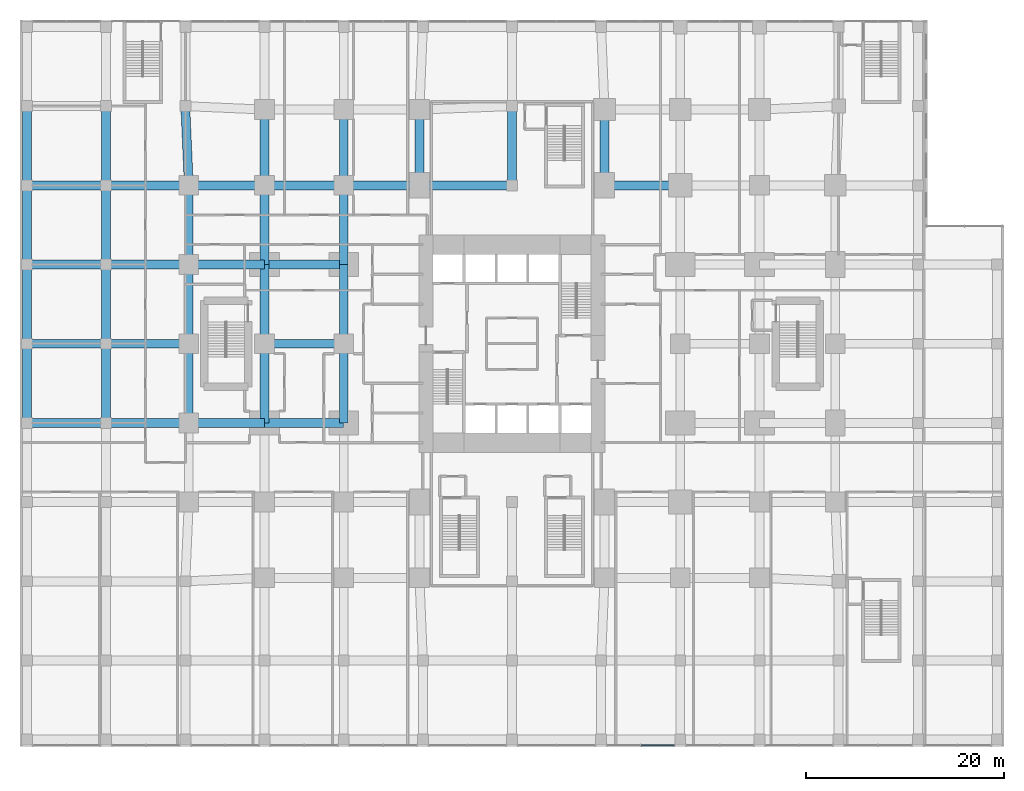
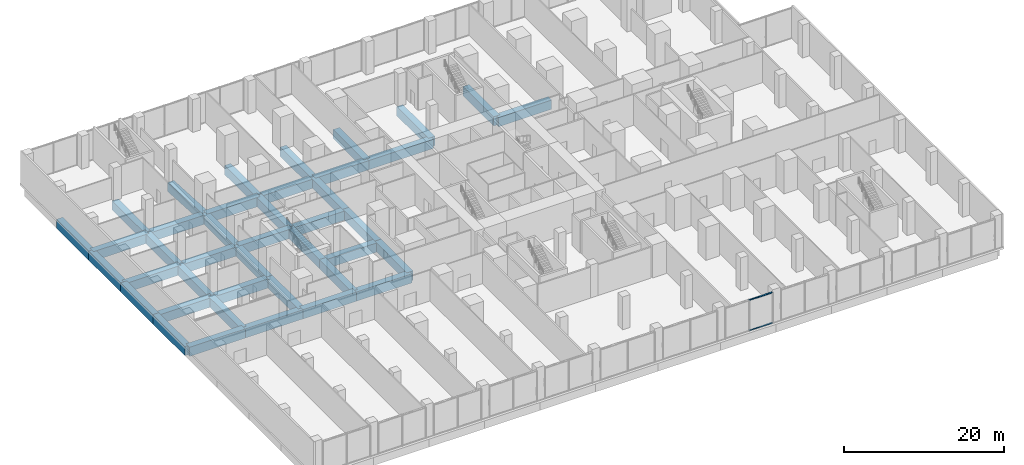
# One storey, part 4 of 22: 41 beams, 2 members, 1 element without a shape of its own.
"""IFC4 building model written with IfcOpenShell, lengths in metres."""

from ifc_helpers import new_model, si_unit, direction, frame, origin, origin_2d, place, context, subcontext, project, spatial, rectangle, extrude, material, layer, layer_set, material_profile, profile_set, type_object, element, aggregate, save


model = new_model("IFC4")

# Units and contexts
model_context = context("Model", 3, precision=1e-05, world=origin(), true_north=direction((0.0, 1.0)))
body_context = subcontext(model_context, "Body", "Model", "MODEL_VIEW")
ifc_project = project(units=[si_unit("LENGTHUNIT", "METRE"), si_unit("AREAUNIT", "SQUARE_METRE"), si_unit("VOLUMEUNIT", "CUBIC_METRE"), si_unit("PLANEANGLEUNIT", "RADIAN"), si_unit("MASSUNIT", "GRAM", prefix="KILO")], contexts=[model_context])

# Site, building, storey
site_placement = place(None, origin())
site = spatial("IfcSite", under=ifc_project, at=site_placement, CompositionType="ELEMENT")
building_placement = place(site_placement, origin())
building = spatial("IfcBuilding", under=site, at=building_placement, Name="Cleftline Residences", CompositionType="ELEMENT")
storey_placement = place(building_placement, frame((0.0, 0.0, 6.0)))
storey = spatial("IfcBuildingStorey", under=building, at=storey_placement, Name="L01", CompositionType="ELEMENT", Elevation=6.0)

# Beams
ifc_material_1 = material(Name="Concrete B45", Category="concrete")
ifc_material_profile_1 = material_profile(ifc_material_1, rectangle(XDim=0.89990234375, YDim=1.39990234375, at=origin_2d()))
ifc_profile_set_1 = profile_set([ifc_material_profile_1], Name="Concrete B45")
beam_type = type_object("IfcBeamType", Name="BEAM RC900X1400", PredefinedType="BEAM", material=ifc_profile_set_1)
beam_1_placement = place(storey_placement, frame((-16.0, 16.0, -1.0), z_axis=(1.0, 0.0, 0.0), x_axis=(0.0, 1.0, 0.0)))
element("IfcBeam", 1, at=beam_1_placement, inside=storey, type_object=beam_type, Name="Podium beam", PredefinedType="BEAM", context=body_context, shape_type="SweptSolid", body=[
    extrude(rectangle(XDim=0.89990234375, YDim=1.39990234375, at=origin_2d()), origin(), (0.0, 0.0, 1.0), 8.0),
])
beam_2_placement = place(storey_placement, frame((-8.0, 16.0, -1.0), z_axis=(1.0, 0.0, 0.0), x_axis=(0.0, 1.0, 0.0)))
element("IfcBeam", 2, at=beam_2_placement, inside=storey, type_object=beam_type, Name="Podium beam", PredefinedType="BEAM", context=body_context, shape_type="SweptSolid", body=[
    extrude(rectangle(XDim=0.89990234375, YDim=1.39990234375, at=origin_2d()), origin(), (0.0, 0.0, 1.0), 8.35009765625),
])
beam_3_placement = place(storey_placement, frame((0.35009765625, 16.0, -1.0), z_axis=(1.0, 0.0, 0.0), x_axis=(0.0, 1.0, 0.0)))
element("IfcBeam", 3, at=beam_3_placement, inside=storey, type_object=beam_type, Name="Podium beam", PredefinedType="BEAM", context=body_context, shape_type="SweptSolid", body=[
    extrude(rectangle(XDim=0.89990234375, YDim=1.39990234375, at=origin_2d()), origin(), (0.0, 0.0, 1.0), 7.64990234375),
])
for number, where, z_axis, x_axis, name in (
    (4, (8.0, 16.0, -1.0), (1.0, 0.0, 0.0), (0.0, 1.0, 0.0), "Podium beam"),
    (5, (-16.0, 24.0, -1.0), (1.0, 0.0, 0.0), (0.0, 1.0, 0.0), "Podium beam"),
):
    element("IfcBeam", number, at=place(storey_placement, frame(where, z_axis=z_axis, x_axis=x_axis)), inside=storey, type_object=beam_type, Name=name, PredefinedType="BEAM", context=body_context, shape_type="SweptSolid", body=[
        extrude(rectangle(XDim=0.89990234375, YDim=1.39990234375, at=origin_2d()), origin(), (0.0, 0.0, 1.0), 8.0),
    ])
beam_4_placement = place(storey_placement, frame((-8.0, 24.0, -1.0), z_axis=(1.0, 0.0, 0.0), x_axis=(0.0, 1.0, 0.0)))
element("IfcBeam", 6, at=beam_4_placement, inside=storey, type_object=beam_type, Name="Podium beam", PredefinedType="BEAM", context=body_context, shape_type="SweptSolid", body=[
    extrude(rectangle(XDim=0.89990234375, YDim=1.39990234375, at=origin_2d()), origin(), (0.0, 0.0, 1.0), 8.35009765625),
])
for number, where, z_axis, x_axis, name in (
    (7, (8.0, 24.0, -1.0), (1.0, 0.0, 0.0), (0.0, 1.0, 0.0), "Podium beam"),
    (8, (-16.0, 32.0, -1.0), (1.0, 0.0, 0.0), (0.0, 1.0, 0.0), "Podium beam"),
):
    element("IfcBeam", number, at=place(storey_placement, frame(where, z_axis=z_axis, x_axis=x_axis)), inside=storey, type_object=beam_type, Name=name, PredefinedType="BEAM", context=body_context, shape_type="SweptSolid", body=[
        extrude(rectangle(XDim=0.89990234375, YDim=1.39990234375, at=origin_2d()), origin(), (0.0, 0.0, 1.0), 8.0),
    ])
beam_5_placement = place(storey_placement, frame((-8.0, 32.0, -1.0), z_axis=(1.0, 0.0, 0.0), x_axis=(0.0, 1.0, 0.0)))
element("IfcBeam", 9, at=beam_5_placement, inside=storey, type_object=beam_type, Name="Podium beam", PredefinedType="BEAM", context=body_context, shape_type="SweptSolid", body=[
    extrude(rectangle(XDim=0.89990234375, YDim=1.39990234375, at=origin_2d()), origin(), (0.0, 0.0, 1.0), 8.35009765625),
])
beam_6_placement = place(storey_placement, frame((0.35009765625, 32.0, -1.0), z_axis=(1.0, 0.0, 0.0), x_axis=(0.0, 1.0, 0.0)))
element("IfcBeam", 10, at=beam_6_placement, inside=storey, type_object=beam_type, Name="Podium beam", PredefinedType="BEAM", context=body_context, shape_type="SweptSolid", body=[
    extrude(rectangle(XDim=0.89990234375, YDim=1.39990234375, at=origin_2d()), origin(), (0.0, 0.0, 1.0), 7.64990234375),
])
for number, where, z_axis, x_axis, name in (
    (11, (8.0, 32.0, -1.0), (1.0, 0.0, 0.0), (0.0, 1.0, 0.0), "Podium beam"),
    (12, (-16.0, 40.0, -1.0), (1.0, 0.0, 0.0), (0.0, 1.0, 0.0), "Podium beam"),
):
    element("IfcBeam", number, at=place(storey_placement, frame(where, z_axis=z_axis, x_axis=x_axis)), inside=storey, type_object=beam_type, Name=name, PredefinedType="BEAM", context=body_context, shape_type="SweptSolid", body=[
        extrude(rectangle(XDim=0.89990234375, YDim=1.39990234375, at=origin_2d()), origin(), (0.0, 0.0, 1.0), 8.0),
    ])
beam_7_placement = place(storey_placement, frame((-8.0, 40.0, -1.0), z_axis=(1.0, 0.0, 0.0), x_axis=(0.0, 1.0, 0.0)))
element("IfcBeam", 13, at=beam_7_placement, inside=storey, type_object=beam_type, Name="Podium beam", PredefinedType="BEAM", context=body_context, shape_type="SweptSolid", body=[
    extrude(rectangle(XDim=0.89990234375, YDim=1.39990234375, at=origin_2d()), origin(), (0.0, 0.0, 1.0), 8.35009765625),
])
beam_8_placement = place(storey_placement, frame((0.35009765625, 40.0, -1.0), z_axis=(1.0, 0.0, 0.0), x_axis=(0.0, 1.0, 0.0)))
element("IfcBeam", 14, at=beam_8_placement, inside=storey, type_object=beam_type, Name="Podium beam", PredefinedType="BEAM", context=body_context, shape_type="SweptSolid", body=[
    extrude(rectangle(XDim=0.89990234375, YDim=1.39990234375, at=origin_2d()), origin(), (0.0, 0.0, 1.0), 7.64990234375),
])
beam_9_placement = place(storey_placement, frame((8.0, 40.0, -1.0), z_axis=(1.0, 0.0, 0.0), x_axis=(0.0, 1.0, 0.0)))
element("IfcBeam", 15, at=beam_9_placement, inside=storey, type_object=beam_type, Name="Podium beam", PredefinedType="BEAM", context=body_context, shape_type="SweptSolid", body=[
    extrude(rectangle(XDim=0.89990234375, YDim=1.39990234375, at=origin_2d()), origin(), (0.0, 0.0, 1.0), 8.0),
])
beam_10_placement = place(storey_placement, frame((16.0, 40.0, -1.0), z_axis=(1.0, 0.0, 0.0), x_axis=(0.0, 1.0, 0.0)))
element("IfcBeam", 16, at=beam_10_placement, inside=storey, type_object=beam_type, Name="Podium beam", PredefinedType="BEAM", context=body_context, shape_type="SweptSolid", body=[
    extrude(rectangle(XDim=0.89990234375, YDim=1.39990234375, at=origin_2d()), origin(), (0.0, 0.0, 1.0), 7.64990234375),
])
beam_11_placement = place(storey_placement, frame((23.64990234375, 40.0, -1.0), z_axis=(1.0, 0.0, 0.0), x_axis=(0.0, 1.0, 0.0)))
element("IfcBeam", 17, at=beam_11_placement, inside=storey, type_object=beam_type, Name="Podium beam", PredefinedType="BEAM", context=body_context, shape_type="SweptSolid", body=[
    extrude(rectangle(XDim=0.89990234375, YDim=1.39990234375, at=origin_2d()), origin(), (0.0, 0.0, 1.0), 9.35009765625),
])
beam_12_placement = place(storey_placement, frame((42.35009765625, 40.0, -1.0), z_axis=(1.0, 0.0, 0.0), x_axis=(0.0, 1.0, 0.0)))
element("IfcBeam", 18, at=beam_12_placement, inside=storey, type_object=beam_type, Name="Podium beam", PredefinedType="BEAM", context=body_context, shape_type="SweptSolid", body=[
    extrude(rectangle(XDim=0.89990234375, YDim=1.39990234375, at=origin_2d()), origin(), (0.0, 0.0, 1.0), 7.64990234375),
])
for number, where, z_axis, x_axis, name in (
    (19, (-16.0, 16.0, -1.0), (0.0, 1.0, 0.0), (-1.0, 0.0, 0.0), "Podium beam"),
    (20, (-16.0, 24.0, -1.0), (0.0, 1.0, 0.0), (-1.0, 0.0, 0.0), "Podium beam"),
    (21, (-16.0, 32.0, -1.0), (0.0, 1.0, 0.0), (-1.0, 0.0, 0.0), "Podium beam"),
    (22, (-16.0, 40.0, -1.0), (0.0, 1.0, 0.0), (-1.0, 0.0, 0.0), "Podium beam"),
    (23, (-8.0, 16.0, -1.0), (0.0, 1.0, 0.0), (-1.0, 0.0, 0.0), "Podium beam"),
    (24, (-8.0, 24.0, -1.0), (0.0, 1.0, 0.0), (-1.0, 0.0, 0.0), "Podium beam"),
    (25, (-8.0, 32.0, -1.0), (0.0, 1.0, 0.0), (-1.0, 0.0, 0.0), "Podium beam"),
    (26, (-8.0, 40.0, -1.0), (0.0, 1.0, 0.0), (-1.0, 0.0, 0.0), "Podium beam"),
    (27, (0.35009765625, 16.0, -1.0), (0.0, 1.0, 0.0), (-1.0, 0.0, 0.0), "Podium beam"),
    (28, (0.35009765625, 24.0, -1.0), (0.0, 1.0, 0.0), (-1.0, 0.0, 0.0), "Podium beam"),
    (29, (0.35009765625, 32.0, -1.0), (0.0, 1.0, 0.0), (-1.0, 0.0, 0.0), "Podium beam"),
):
    element("IfcBeam", number, at=place(storey_placement, frame(where, z_axis=z_axis, x_axis=x_axis)), inside=storey, type_object=beam_type, Name=name, PredefinedType="BEAM", context=body_context, shape_type="SweptSolid", body=[
        extrude(rectangle(XDim=0.89990234375, YDim=1.39990234375, at=origin_2d()), origin(), (0.0, 0.0, 1.0), 8.0),
    ])
beam_13_placement = place(storey_placement, frame((0.35009765625, 40.0, -1.0), z_axis=(-0.043720361951, 0.999043807824, 0.0), x_axis=(-0.999043807824, -0.043720361951, 0.0)))
element("IfcBeam", 30, at=beam_13_placement, inside=storey, type_object=beam_type, Name="Podium beam", PredefinedType="BEAM", context=body_context, shape_type="SweptSolid", body=[
    extrude(rectangle(XDim=0.89990234375, YDim=1.39990234375, at=origin_2d()), origin(), (0.0, 0.0, 1.0), 8.007568359375),
])
for number, where, z_axis, x_axis, name in (
    (31, (8.0, 16.0, -1.0), (0.0, 1.0, 0.0), (-1.0, 0.0, 0.0), "Podium beam"),
    (32, (8.0, 24.0, -1.0), (0.0, 1.0, 0.0), (-1.0, 0.0, 0.0), "Podium beam"),
    (33, (8.0, 32.0, -1.0), (0.0, 1.0, 0.0), (-1.0, 0.0, 0.0), "Podium beam"),
):
    element("IfcBeam", number, at=place(storey_placement, frame(where, z_axis=z_axis, x_axis=x_axis)), inside=storey, type_object=beam_type, Name=name, PredefinedType="BEAM", context=body_context, shape_type="SweptSolid", body=[
        extrude(rectangle(XDim=0.89990234375, YDim=1.39990234375, at=origin_2d()), origin(), (0.0, 0.0, 1.0), 8.0),
    ])
beam_14_placement = place(storey_placement, frame((8.0, 40.0, -1.0), z_axis=(0.0, 1.0, 0.0), x_axis=(-1.0, 0.0, 0.0)))
element("IfcBeam", 34, at=beam_14_placement, inside=storey, type_object=beam_type, Name="Podium beam", PredefinedType="BEAM", context=body_context, shape_type="SweptSolid", body=[
    extrude(rectangle(XDim=0.89990234375, YDim=1.39990234375, at=origin_2d()), origin(), (0.0, 0.0, 1.0), 7.64990234375),
])
for number, where, z_axis, x_axis, name in (
    (35, (16.0, 16.0, -1.0), (0.0, 1.0, 0.0), (-1.0, 0.0, 0.0), "Podium beam"),
    (36, (16.0, 24.0, -1.0), (0.0, 1.0, 0.0), (-1.0, 0.0, 0.0), "Podium beam"),
    (37, (16.0, 32.0, -1.0), (0.0, 1.0, 0.0), (-1.0, 0.0, 0.0), "Podium beam"),
):
    element("IfcBeam", number, at=place(storey_placement, frame(where, z_axis=z_axis, x_axis=x_axis)), inside=storey, type_object=beam_type, Name=name, PredefinedType="BEAM", context=body_context, shape_type="SweptSolid", body=[
        extrude(rectangle(XDim=0.89990234375, YDim=1.39990234375, at=origin_2d()), origin(), (0.0, 0.0, 1.0), 8.0),
    ])
for number, where, z_axis, x_axis, name in (
    (38, (16.0, 40.0, -1.0), (0.0, 1.0, 0.0), (-1.0, 0.0, 0.0), "Podium beam"),
    (39, (23.64990234375, 40.0, -1.0), (0.0, 1.0, 0.0), (-1.0, 0.0, 0.0), "Podium beam"),
):
    element("IfcBeam", number, at=place(storey_placement, frame(where, z_axis=z_axis, x_axis=x_axis)), inside=storey, type_object=beam_type, Name=name, PredefinedType="BEAM", context=body_context, shape_type="SweptSolid", body=[
        extrude(rectangle(XDim=0.89990234375, YDim=1.39990234375, at=origin_2d()), origin(), (0.0, 0.0, 1.0), 7.64990234375),
    ])
beam_15_placement = place(storey_placement, frame((33.0, 40.0, -1.0), z_axis=(0.0, 1.0, 0.0), x_axis=(-1.0, 0.0, 0.0)))
element("IfcBeam", 40, at=beam_15_placement, inside=storey, type_object=beam_type, Name="Podium beam", PredefinedType="BEAM", context=body_context, shape_type="SweptSolid", body=[
    extrude(rectangle(XDim=0.89990234375, YDim=1.39990234375, at=origin_2d()), origin(), (0.0, 0.0, 1.0), 8.0),
])
beam_16_placement = place(storey_placement, frame((42.35009765625, 40.0, -1.0), z_axis=(0.0, 1.0, 0.0), x_axis=(-1.0, 0.0, 0.0)))
element("IfcBeam", 41, at=beam_16_placement, inside=storey, type_object=beam_type, Name="Podium beam", PredefinedType="BEAM", context=body_context, shape_type="SweptSolid", body=[
    extrude(rectangle(XDim=0.89990234375, YDim=1.39990234375, at=origin_2d()), origin(), (0.0, 0.0, 1.0), 7.64990234375),
])

# Curtain wall, members
ifc_material_2 = material(Name="Aluminium framed curtain wall", Category="aluminium")
ifc_layer = layer(ifc_material_2, 0.199951171875)
ifc_layer_set = layer_set([ifc_layer], Name="CW2 PODIUM GLAZING")
curtain_wall_type = type_object("IfcCurtainWallType", Name="CW2 PODIUM GLAZING", PredefinedType="NOTDEFINED", material=ifc_layer_set)
curtain_wall_placement = place(storey_placement, origin())
curtain_wall = element("IfcCurtainWall", 42, at=curtain_wall_placement, inside=storey, type_object=curtain_wall_type, Name="Curtain wall CW2", PredefinedType="NOTDEFINED")
ifc_material_3 = material(Name="Aluminium transom", Category="aluminium")
ifc_material_profile_2 = material_profile(ifc_material_3, rectangle(XDim=0.14990234375, YDim=0.080078125, at=origin_2d()))
ifc_profile_set_2 = profile_set([ifc_material_profile_2], Name="Aluminium transom")
member_type = type_object("IfcMemberType", Name="CW2 TRANSOM", PredefinedType="USERDEFINED", material=ifc_profile_set_2)
member_1_placement = place(storey_placement, frame((46.0400390625, -16.574951171875, 0.0400390625), z_axis=(1.0, 0.0, 0.0), x_axis=(0.0, 1.0, 0.0)))
member_1 = element("IfcMember", 43, at=member_1_placement, type_object=member_type, Name="CW2 transom 2.1", ObjectType="TRANSOM", PredefinedType="USERDEFINED", context=body_context, shape_type="SweptSolid", body=[
    extrude(rectangle(XDim=0.14990234375, YDim=0.080078125, at=origin_2d()), origin(), (0.0, 0.0, 1.0), 3.330078125),
])
member_2_placement = place(storey_placement, frame((46.0400390625, -16.574951171875, 4.659912109375), z_axis=(1.0, 0.0, 0.0), x_axis=(0.0, 1.0, 0.0)))
member_2 = element("IfcMember", 44, at=member_2_placement, type_object=member_type, Name="CW2 transom 2.2", ObjectType="TRANSOM", PredefinedType="USERDEFINED", context=body_context, shape_type="SweptSolid", body=[
    extrude(rectangle(XDim=0.14990234375, YDim=0.080078125, at=origin_2d()), origin(), (0.0, 0.0, 1.0), 3.330078125),
])
aggregate(curtain_wall, [member_1, member_2])

save(model, "model.ifc")
